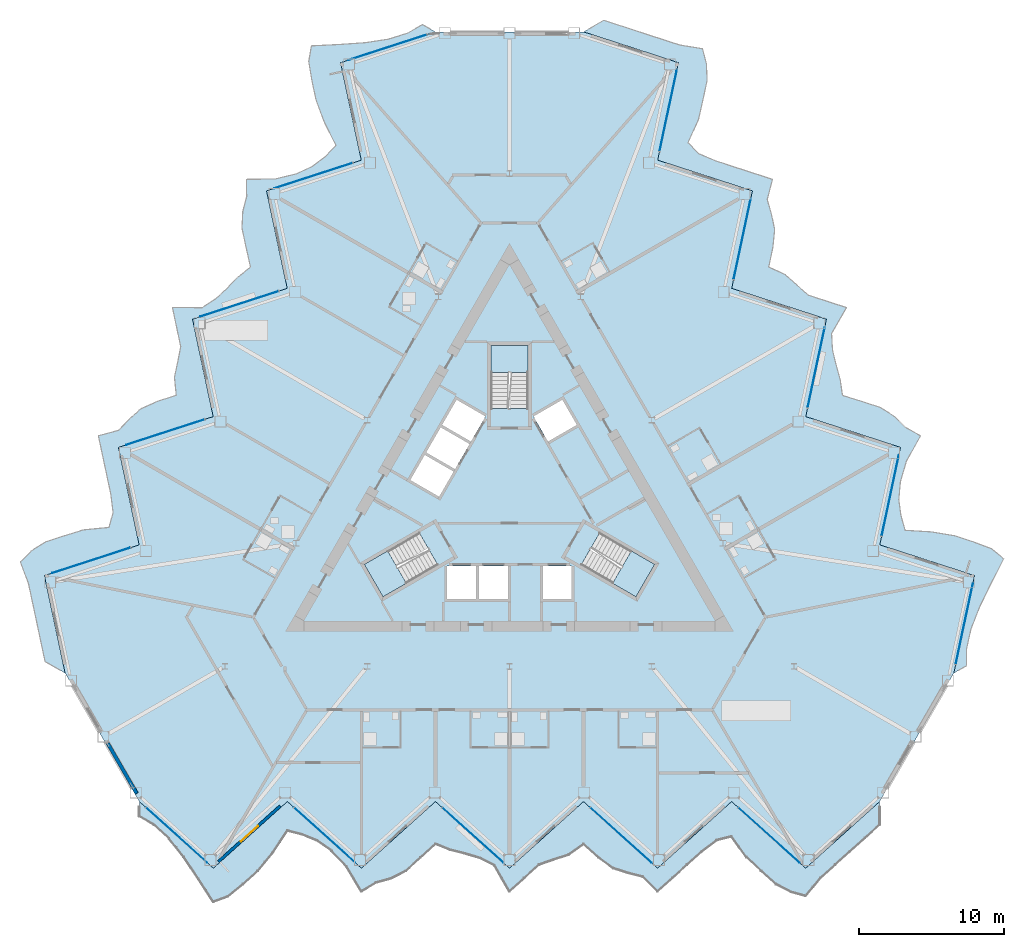
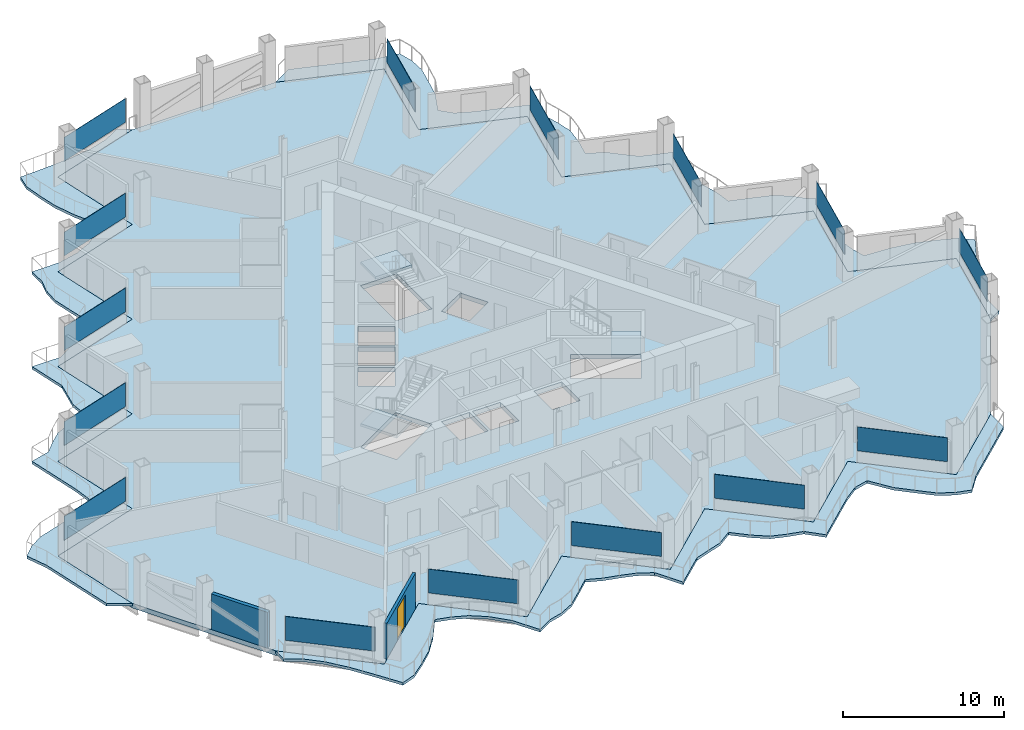
# One storey, part 9 of 23: 15 plates, 7 slabs, 2 walls, 1 door, 1 opening, 18 elements without a shape of their own.
"""IFC4 building model written with IfcOpenShell, lengths in metres."""

import ifcopenshell
import ifcopenshell.guid

model = None  # the IFC model being written
_history = None  # IfcOwnerHistory: only IFC2X3 demands one
_inside = {}  # id of a spatial element -> (the spatial element, [elements in it])
_under = {}  # id of a project, library or spatial element -> (it, [spatial elements below it])
_declared = {}  # id of a project -> (the project, [libraries it declares])
_typed = {}  # id of a type object -> (the type object, [elements of that type])
_made_of = {}  # id of a material, layer set ... -> (it, [elements and type objects made of it])


def new_model(schema):
    """Start an empty IFC model of exactly this schema.

    Asked for "IFC4X3", IfcOpenShell would pick the latest addendum, in which some entities
    have other attributes; the version numbers below select the first issue.
    IFC2X3 requires an IfcOwnerHistory on every rooted entity: one is made here for all.
    """
    global model, _history
    if schema == "IFC4X3":
        model = ifcopenshell.file(schema_version=(4, 3, 0, 0))
    else:
        model = ifcopenshell.file(schema=schema)
    _inside.clear()
    _under.clear()
    _declared.clear()
    _typed.clear()
    _made_of.clear()
    _history = None
    if model.schema == "IFC2X3":
        org = make("IfcOrganization", Name="unknown")
        user = make(
            "IfcPersonAndOrganization",
            ThePerson=make("IfcPerson", FamilyName="unknown"),
            TheOrganization=org,
        )
        app = make(
            "IfcApplication",
            ApplicationDeveloper=org,
            Version="unknown",
            ApplicationFullName="unknown",
            ApplicationIdentifier="unknown",
        )
        _history = make(
            "IfcOwnerHistory",
            OwningUser=user,
            OwningApplication=app,
            ChangeAction="ADDED",
            CreationDate=0,
        )
    return model


def make(cls, **values):
    """One entity of the class cls with the attributes given. An attribute that is None is left unset."""
    return model.create_entity(
        cls, **{name: value for name, value in values.items() if value is not None}
    )


def rooted(cls, **values):
    """An entity with a GlobalId (a new one), such as an element, a storey or a relation."""
    return make(cls, GlobalId=ifcopenshell.guid.new(), OwnerHistory=_history, **values)


def si_unit(unit_type, name, prefix=None):
    """IfcSIUnit, for example si_unit("LENGTHUNIT", "METRE", prefix="MILLI")."""
    return make("IfcSIUnit", UnitType=unit_type, Prefix=prefix, Name=name)


def assignment(units):
    """IfcUnitAssignment: the units of a project."""
    return None if units is None else make("IfcUnitAssignment", Units=units)


def point(xyz):
    """IfcCartesianPoint."""
    return None if xyz is None else make("IfcCartesianPoint", Coordinates=xyz)


def direction(xyz):
    """IfcDirection."""
    return None if xyz is None else make("IfcDirection", DirectionRatios=xyz)


def frame(location, z_axis=None, x_axis=None):
    """IfcAxis2Placement3D, a coordinate frame: its origin and axes. An axis left out is left unset."""
    return make(
        "IfcAxis2Placement3D",
        Location=point(location),
        Axis=direction(z_axis),
        RefDirection=direction(x_axis),
    )


def frame_2d(location, x_axis=None):
    """IfcAxis2Placement2D, a coordinate frame in the plane: its origin and x axis."""
    return make(
        "IfcAxis2Placement2D", Location=point(location), RefDirection=direction(x_axis)
    )


def origin():
    """The frame at (0, 0, 0) with its axes left unset."""
    return frame((0.0, 0.0, 0.0))


def origin_2d():
    """The frame at (0, 0) in the plane with its x axis left unset."""
    return frame_2d((0.0, 0.0))


def place(relative_to, where):
    """IfcLocalPlacement: puts the frame where relative to a parent placement (None: the world)."""
    return make(
        "IfcLocalPlacement", PlacementRelTo=relative_to, RelativePlacement=where
    )


def context(
    kind, dimensions, precision=None, world=None, true_north=None, identifier=None
):
    """IfcGeometricRepresentationContext, for example the 3D "Model" context."""
    return make(
        "IfcGeometricRepresentationContext",
        ContextIdentifier=identifier,
        ContextType=kind,
        CoordinateSpaceDimension=dimensions,
        Precision=precision,
        WorldCoordinateSystem=world,
        TrueNorth=true_north,
    )


def subcontext(parent, identifier, kind, view, scale=None):
    """IfcGeometricRepresentationSubContext, for example "Body" below "Model"."""
    return make(
        "IfcGeometricRepresentationSubContext",
        ContextIdentifier=identifier,
        ContextType=kind,
        ParentContext=parent,
        TargetScale=scale,
        TargetView=view,
    )


def project(units=None, contexts=None):
    """IfcProject with its units and contexts."""
    return rooted(
        "IfcProject",
        Name="project",
        RepresentationContexts=contexts,
        UnitsInContext=assignment(units),
    )


def spatial(cls, under=None, at=None, **own):
    """A site, building, storey or space (cls), placed at a placement, below another one or the project."""
    s = rooted(cls, ObjectPlacement=at, **own)
    if under is not None:
        _under.setdefault(under.id(), (under, []))[1].append(s)
    return s


def polyline(points):
    """IfcPolyline through the points."""
    return make("IfcPolyline", Points=[point(p) for p in points])


def profile(cls, at=None, kind="AREA", **sizes):
    """A parametric profile (cls). Its sizes go by their IFC names, for example OverallWidth=200.0."""
    return make(cls, ProfileType=kind, Position=at, **sizes)


def rectangle(**sizes):
    """IfcRectangleProfileDef."""
    return profile("IfcRectangleProfileDef", **sizes)


def outline(outer, holes=None, kind="AREA"):
    """IfcArbitraryClosedProfileDef: a profile drawn as a closed curve; with holes, ...WithVoids."""
    if holes is None:
        return make("IfcArbitraryClosedProfileDef", ProfileType=kind, OuterCurve=outer)
    return make(
        "IfcArbitraryProfileDefWithVoids",
        ProfileType=kind,
        OuterCurve=outer,
        InnerCurves=holes,
    )


def extrude(swept, where, along, depth):
    """IfcExtrudedAreaSolid: the profile swept, set in the frame where, extruded along a direction by depth."""
    return make(
        "IfcExtrudedAreaSolid",
        SweptArea=swept,
        Position=where,
        ExtrudedDirection=direction(along),
        Depth=depth,
    )


def shape(context_of_items, identifier, shape_type, items):
    """IfcShapeRepresentation: the items that make up one representation, for example the "Body"."""
    return make(
        "IfcShapeRepresentation",
        ContextOfItems=context_of_items,
        RepresentationIdentifier=identifier,
        RepresentationType=shape_type,
        Items=items,
    )


def material(Name=None, Category=None):
    """IfcMaterial."""
    return make("IfcMaterial", Name=Name, Category=Category)


def layer(
    of_material, thickness, ventilated=None, Name=None, Category=None, Priority=None
):
    """IfcMaterialLayer: one layer of a wall or slab, of a material (None: an air gap)."""
    return make(
        "IfcMaterialLayer",
        Material=of_material,
        LayerThickness=thickness,
        IsVentilated=ventilated,
        Name=Name,
        Category=Category,
        Priority=Priority,
    )


def layer_set(layers, Name=None):
    """IfcMaterialLayerSet."""
    return make("IfcMaterialLayerSet", MaterialLayers=layers, LayerSetName=Name)


def made_of(thing, what):
    """Note that an element or type object is made of a material, layer set ...; save() writes the relation."""
    if what is not None:
        _made_of.setdefault(what.id(), (what, []))[1].append(thing)
    return thing


def type_object(cls, material=None, **own):
    """A type object (cls), such as IfcWallType, which elements share."""
    return made_of(rooted(cls, **own), material)


def element(
    cls,
    number,
    at=None,
    inside=None,
    cuts=None,
    type_object=None,
    material=None,
    context=None,
    identifier="Body",
    shape_type=None,
    held_by="IfcProductDefinitionShape",
    body=None,
    shapes=None,
    **own,
):
    """One element of the class cls, such as IfcWall. Its Tag is "e" and its number.

    at: its placement. inside: the storey or other place that contains it. cuts: it is an
    opening in that element (IfcRelVoidsElement). A single representation is given by context,
    identifier, shape_type and body (its items); several are given by shapes. held_by: the class
    of the entity that holds the representations. save() writes the other relations.
    """
    e = rooted(cls, Tag="e%d" % number, ObjectPlacement=at, **own)
    if body is not None:
        shapes = [shape(context, identifier, shape_type, body)]
    if shapes is not None:
        e.Representation = make(held_by, Representations=shapes)
    if inside is not None:
        _inside.setdefault(inside.id(), (inside, []))[1].append(e)
    if cuts is not None:
        rooted(
            "IfcRelVoidsElement", RelatingBuildingElement=cuts, RelatedOpeningElement=e
        )
    if type_object is not None:
        _typed.setdefault(type_object.id(), (type_object, []))[1].append(e)
    return made_of(e, material)


def fill(opening, filler):
    """IfcRelFillsElement: the door or window that sits in an opening."""
    return rooted(
        "IfcRelFillsElement",
        RelatingOpeningElement=opening,
        RelatedBuildingElement=filler,
    )


def aggregate(whole, parts):
    """IfcRelAggregates: a whole, such as a stair, and the parts it consists of."""
    return rooted("IfcRelAggregates", RelatingObject=whole, RelatedObjects=parts)


def save(model, path):
    """Write the relations noted so far, then the file.

    IfcRelAggregates (storeys below a building ...), IfcRelContainedInSpatialStructure (elements
    in a storey), IfcRelDefinesByType, IfcRelAssociatesMaterial and IfcRelDeclares: one each for
    every whole, place, type object, material and project.
    """
    for whole, parts in _under.values():
        aggregate(whole, parts)
    for where, things in _inside.values():
        rooted(
            "IfcRelContainedInSpatialStructure",
            RelatedElements=things,
            RelatingStructure=where,
        )
    for kind, things in _typed.values():
        rooted("IfcRelDefinesByType", RelatedObjects=things, RelatingType=kind)
    for what, things in _made_of.values():
        rooted("IfcRelAssociatesMaterial", RelatedObjects=things, RelatingMaterial=what)
    for by, libraries in _declared.values():
        rooted("IfcRelDeclares", RelatingContext=by, RelatedDefinitions=libraries)
    model.write(path)


model = new_model("IFC4")

# Units and contexts
model_context = context("Model", 3, precision=1e-05, world=origin(), true_north=direction((0.0, 1.0)))
body_context = subcontext(model_context, "Body", "Model", "MODEL_VIEW")
ifc_project = project(units=[si_unit("LENGTHUNIT", "METRE"), si_unit("AREAUNIT", "SQUARE_METRE"), si_unit("VOLUMEUNIT", "CUBIC_METRE"), si_unit("PLANEANGLEUNIT", "RADIAN"), si_unit("MASSUNIT", "GRAM", prefix="KILO")], contexts=[model_context])

# Site, building, storey
site_placement = place(None, origin())
site = spatial("IfcSite", under=ifc_project, at=site_placement, CompositionType="ELEMENT")
building_placement = place(site_placement, origin())
building = spatial("IfcBuilding", under=site, at=building_placement, Name="Cormorant Prow Tower", CompositionType="ELEMENT")
storey_placement = place(building_placement, frame((0.0, 0.0, 176.39990234375)))
storey = spatial("IfcBuildingStorey", under=building, at=storey_placement, Name="L37", CompositionType="ELEMENT", Elevation=176.39990234375)

# Slabs
ifc_material_1 = material(Name="Concrete C40/50", Category="concrete")
ifc_layer_1 = layer(ifc_material_1, 0.199951171875)
ifc_layer_set_1 = layer_set([ifc_layer_1], Name="Concrete C40/50")
slab_type_1 = type_object("IfcSlabType", Name="Balcony slab 200", PredefinedType="FLOOR", material=ifc_layer_set_1)
slab_1_placement = place(storey_placement, frame((0.0, 0.0, -0.199951171875)))
element("IfcSlab", 1, at=slab_1_placement, inside=storey, type_object=slab_type_1, Name="Balcony slab S L37", PredefinedType="FLOOR", context=body_context, shape_type="SweptSolid", body=[
    extrude(outline(polyline([(-25.57861328125, -20.684326171875), (-25.57861328125, -21.700439453125), (-24.555419921875, -22.29296875), (-23.5322265625, -23.231201171875), (-22.509033203125, -24.510498046875), (-21.48583984375, -26.02880859375), (-20.462890625, -27.61572265625), (-19.439697265625, -27.239013671875), (-18.41650390625, -26.398193359375), (-17.393310546875, -25.476806640625), (-16.370361328125, -24.243896484375), (-15.34716796875, -22.6982421875), (-14.323974609375, -22.962646484375), (-13.30078125, -23.3818359375), (-12.277587890625, -24.09912109375), (-11.254638671875, -25.1728515625), (-10.2314453125, -26.890625), (-9.208251953125, -26.283203125), (-8.18505859375, -26.00341796875), (-7.161865234375, -25.476806640625), (-6.138916015625, -24.5556640625), (-5.11572265625, -23.614013671875), (-4.092529296875, -24.0234375), (-3.0693359375, -24.285400390625), (-2.04638671875, -24.58740234375), (-1.023193359375, -25.106689453125), (0.0, -26.890625), (1.023193359375, -25.96923828125), (2.04638671875, -25.048095703125), (3.0693359375, -24.694580078125), (4.092529296875, -24.363525390625), (5.11572265625, -23.63427734375), (6.138916015625, -24.5556640625), (7.161865234375, -25.290771484375), (8.18505859375, -25.6240234375), (9.208251953125, -25.87841796875), (10.2314453125, -26.890625), (11.254638671875, -25.96923828125), (12.277587890625, -25.048095703125), (13.30078125, -24.126953125), (14.323974609375, -23.355712890625), (15.34716796875, -23.0947265625), (16.370361328125, -24.530517578125), (17.393310546875, -25.476806640625), (18.41650390625, -26.398193359375), (19.439697265625, -26.931640625), (20.462890625, -27.212890625), (21.48583984375, -25.96923828125), (22.509033203125, -25.048095703125), (23.5322265625, -24.126953125), (24.555419921875, -23.20556640625), (25.57861328125, -22.284423828125), (25.57861328125, -20.684326171875), (24.555419921875, -21.605712890625), (23.5322265625, -22.52685546875), (22.509033203125, -23.447998046875), (21.48583984375, -24.369384765625), (20.462890625, -25.29052734375), (19.439697265625, -24.369384765625), (18.41650390625, -23.447998046875), (17.393310546875, -22.52685546875), (16.370361328125, -21.605712890625), (15.34716796875, -20.684326171875), (14.323974609375, -21.605712890625), (13.30078125, -22.52685546875), (12.277587890625, -23.447998046875), (11.254638671875, -24.369384765625), (10.2314453125, -25.29052734375), (9.208251953125, -24.369384765625), (8.18505859375, -23.447998046875), (7.161865234375, -22.52685546875), (6.138916015625, -21.605712890625), (5.11572265625, -20.684326171875), (4.092529296875, -21.605712890625), (3.0693359375, -22.52685546875), (2.04638671875, -23.447998046875), (1.023193359375, -24.369384765625), (0.0, -25.29052734375), (-1.023193359375, -24.369384765625), (-2.04638671875, -23.447998046875), (-3.0693359375, -22.52685546875), (-4.092529296875, -21.605712890625), (-5.11572265625, -20.684326171875), (-6.138916015625, -21.605712890625), (-7.161865234375, -22.52685546875), (-8.18505859375, -23.447998046875), (-9.208251953125, -24.369384765625), (-10.2314453125, -25.29052734375), (-11.254638671875, -24.369384765625), (-12.277587890625, -23.447998046875), (-13.30078125, -22.52685546875), (-14.323974609375, -21.605712890625), (-15.34716796875, -20.684326171875), (-16.370361328125, -21.605712890625), (-17.393310546875, -22.52685546875), (-18.41650390625, -23.447998046875), (-19.439697265625, -24.369384765625), (-20.462890625, -25.29052734375), (-21.48583984375, -24.369384765625), (-22.509033203125, -23.447998046875), (-23.5322265625, -22.52685546875), (-24.555419921875, -21.605712890625), (-25.57861328125, -20.684326171875)])), origin(), (0.0, 0.0, 1.0), 0.199951171875),
])
slab_2_placement = place(storey_placement, frame((0.0, 0.0, -0.199951171875)))
element("IfcSlab", 2, at=slab_2_placement, inside=storey, type_object=slab_type_1, Name="Balcony slab ENE L37", PredefinedType="FLOOR", context=body_context, shape_type="SweptSolid", body=[
    extrude(outline(polyline([(30.702392578125, -11.8095703125), (31.58251953125, -11.301513671875), (31.583984375, -10.119140625), (31.885009765625, -8.763916015625), (32.4814453125, -7.238037109375), (33.28466796875, -5.593017578125), (34.1474609375, -3.913330078125), (33.309326171875, -3.2158203125), (32.069580078125, -2.750244140625), (30.76025390625, -2.32470703125), (29.180908203125, -2.05517578125), (27.330810546875, -1.94189453125), (27.048095703125, -0.923583984375), (26.899658203125, 0.172119140625), (27.00927734375, 1.416748046875), (27.427490234375, 2.839599609375), (28.403564453125, 4.584716796875), (27.3662109375, 5.1669921875), (26.612060546875, 5.9130859375), (25.64453125, 6.535888671875), (24.335205078125, 6.96142578125), (23.008056640625, 7.376708984375), (22.851318359375, 8.467529296875), (22.56640625, 9.484375), (22.316650390625, 10.521728515625), (22.254638671875, 11.667236328125), (23.287841796875, 13.4453125), (21.978515625, 13.870849609375), (20.669189453125, 14.296142578125), (19.851318359375, 15.00537109375), (19.05322265625, 15.72607421875), (17.91015625, 16.24755859375), (18.1962890625, 17.59423828125), (18.321533203125, 18.847900390625), (18.098388671875, 19.900390625), (17.80712890625, 20.913818359375), (18.172119140625, 22.305908203125), (16.86279296875, 22.7314453125), (15.553466796875, 23.15673828125), (14.244140625, 23.582275390625), (13.064697265625, 24.082763671875), (12.3271484375, 24.83837890625), (13.058837890625, 26.4423828125), (13.366943359375, 27.801513671875), (13.653076171875, 29.148193359375), (13.603759765625, 30.301025390625), (13.335693359375, 31.32763671875), (11.7470703125, 31.592041015625), (10.437744140625, 32.017578125), (9.12841796875, 32.44287109375), (7.819091796875, 32.868408203125), (6.509521484375, 33.2939453125), (5.1240234375, 32.493896484375), (6.433349609375, 32.068359375), (7.74267578125, 31.64306640625), (9.052001953125, 31.217529296875), (10.361572265625, 30.7919921875), (11.6708984375, 30.36669921875), (11.384521484375, 29.02001953125), (11.098388671875, 27.67333984375), (10.812255859375, 26.32666015625), (10.52587890625, 24.97998046875), (10.23974609375, 23.63330078125), (11.549072265625, 23.207763671875), (12.8583984375, 22.7822265625), (14.167724609375, 22.35693359375), (15.477294921875, 21.931396484375), (16.78662109375, 21.505859375), (16.500244140625, 20.1591796875), (16.214111328125, 18.8125), (15.927734375, 17.4658203125), (15.6416015625, 16.119140625), (15.35546875, 14.7724609375), (16.664794921875, 14.34716796875), (17.97412109375, 13.921630859375), (19.283447265625, 13.49609375), (20.593017578125, 13.07080078125), (21.90234375, 12.645263671875), (21.615966796875, 11.298583984375), (21.329833984375, 9.951904296875), (21.04345703125, 8.605224609375), (20.75732421875, 7.258544921875), (20.470947265625, 5.911865234375), (21.780517578125, 5.486328125), (23.08984375, 5.06103515625), (24.399169921875, 4.635498046875), (25.70849609375, 4.2099609375), (27.01806640625, 3.78466796875), (26.731689453125, 2.43798828125), (26.445556640625, 1.09130859375), (26.1591796875, -0.25537109375), (25.873046875, -1.60205078125), (25.586669921875, -2.94873046875), (26.896240234375, -3.374267578125), (28.20556640625, -3.7998046875), (29.514892578125, -4.22509765625), (30.82421875, -4.650634765625), (32.1337890625, -5.075927734375), (31.847412109375, -6.422607421875), (31.561279296875, -7.769287109375), (31.27490234375, -9.115966796875), (30.98876953125, -10.462890625), (30.702392578125, -11.8095703125)])), origin(), (0.0, 0.0, 1.0), 0.199951171875),
])
slab_3_placement = place(storey_placement, frame((0.0, 0.0, -0.199951171875)))
element("IfcSlab", 3, at=slab_3_placement, inside=storey, type_object=slab_type_1, Name="Balcony slab WNW L37", PredefinedType="FLOOR", context=body_context, shape_type="SweptSolid", body=[
    extrude(outline(polyline([(-5.1240234375, 32.493896484375), (-6.00390625, 33.001953125), (-7.028564453125, 32.412109375), (-8.352783203125, 31.9951171875), (-9.97216796875, 31.748779296875), (-11.798828125, 31.621826171875), (-13.6845703125, 31.529296875), (-13.869873046875, 30.45458984375), (-13.653076171875, 29.148193359375), (-13.366943359375, 27.801513671875), (-12.810791015625, 26.299072265625), (-11.983642578125, 24.64013671875), (-12.72412109375, 23.88623046875), (-13.598876953125, 23.209716796875), (-14.731689453125, 22.682373046875), (-16.1728515625, 22.3330078125), (-18.172119140625, 22.305908203125), (-18.157958984375, 21.1162109375), (-18.427001953125, 20.09033203125), (-18.482666015625, 18.94091796875), (-18.1962890625, 17.59423828125), (-17.892333984375, 16.2373046875), (-18.7587890625, 15.555908203125), (-19.4970703125, 14.80078125), (-20.270263671875, 14.06591796875), (-21.2314453125, 13.439453125), (-23.287841796875, 13.4453125), (-23.001708984375, 12.0986328125), (-22.71533203125, 10.751953125), (-22.9208984375, 9.68896484375), (-23.145751953125, 8.637451171875), (-23.02587890625, 7.386962890625), (-24.335205078125, 6.96142578125), (-25.4833984375, 6.44287109375), (-26.283447265625, 5.723388671875), (-27.015380859375, 4.964599609375), (-28.403564453125, 4.584716796875), (-28.117431640625, 3.238037109375), (-27.8310546875, 1.891357421875), (-27.544921875, 0.544677734375), (-27.388671875, -0.72705078125), (-27.674072265625, -1.74365234375), (-29.42919921875, -1.911865234375), (-30.76025390625, -2.32470703125), (-32.069580078125, -2.750244140625), (-33.04345703125, -3.369384765625), (-33.79833984375, -4.114990234375), (-33.233154296875, -5.622802734375), (-32.94677734375, -6.969482421875), (-32.66064453125, -8.316162109375), (-32.374267578125, -9.662841796875), (-32.088134765625, -11.009521484375), (-30.702392578125, -11.8095703125), (-30.98876953125, -10.462890625), (-31.27490234375, -9.115966796875), (-31.561279296875, -7.769287109375), (-31.847412109375, -6.422607421875), (-32.1337890625, -5.075927734375), (-30.82421875, -4.650634765625), (-29.514892578125, -4.22509765625), (-28.20556640625, -3.7998046875), (-26.896240234375, -3.374267578125), (-25.586669921875, -2.94873046875), (-25.873046875, -1.60205078125), (-26.1591796875, -0.25537109375), (-26.445556640625, 1.09130859375), (-26.731689453125, 2.43798828125), (-27.01806640625, 3.78466796875), (-25.70849609375, 4.2099609375), (-24.399169921875, 4.635498046875), (-23.08984375, 5.06103515625), (-21.780517578125, 5.486328125), (-20.470947265625, 5.911865234375), (-20.75732421875, 7.258544921875), (-21.04345703125, 8.605224609375), (-21.329833984375, 9.951904296875), (-21.615966796875, 11.298583984375), (-21.90234375, 12.645263671875), (-20.593017578125, 13.07080078125), (-19.283447265625, 13.49609375), (-17.97412109375, 13.921630859375), (-16.664794921875, 14.34716796875), (-15.35546875, 14.7724609375), (-15.6416015625, 16.119140625), (-15.927734375, 17.4658203125), (-16.214111328125, 18.8125), (-16.500244140625, 20.1591796875), (-16.78662109375, 21.505859375), (-15.477294921875, 21.931396484375), (-14.167724609375, 22.35693359375), (-12.8583984375, 22.7822265625), (-11.549072265625, 23.207763671875), (-10.23974609375, 23.63330078125), (-10.52587890625, 24.97998046875), (-10.812255859375, 26.32666015625), (-11.098388671875, 27.67333984375), (-11.384521484375, 29.02001953125), (-11.6708984375, 30.36669921875), (-10.361572265625, 30.7919921875), (-9.052001953125, 31.217529296875), (-7.74267578125, 31.64306640625), (-6.433349609375, 32.068359375), (-5.1240234375, 32.493896484375)])), origin(), (0.0, 0.0, 1.0), 0.199951171875),
])

# Curtain wall, plate
ifc_material_2 = material(Name="Aluminium 6063-T6", Category="aluminium")
ifc_layer_2 = layer(ifc_material_2, 0.179931640625)
ifc_layer_set_2 = layer_set([ifc_layer_2], Name="Aluminium 6063-T6")
curtain_wall_type = type_object("IfcCurtainWallType", Name="Hotel unitised curtain wall 180", PredefinedType="NOTDEFINED", material=ifc_layer_set_2)
curtain_wall_1_placement = place(storey_placement, origin())
curtain_wall_1 = element("IfcCurtainWall", 4, at=curtain_wall_1_placement, inside=storey, type_object=curtain_wall_type, Name="Hotel curtain wall S00", PredefinedType="NOTDEFINED")
ifc_material_3 = material(Name="Clear glass", Category="glass")
ifc_layer_3 = layer(ifc_material_3, 0.028076171875)
ifc_layer_set_3 = layer_set([ifc_layer_3], Name="Clear glass")
plate_type = type_object("IfcPlateType", Name="Hotel glass panel 28", PredefinedType="CURTAIN_PANEL", material=ifc_layer_set_3)
plate_1_placement = place(storey_placement, frame((-22.998291015625, -23.007568359375, 0.900146484375), z_axis=(0.0, 0.0, 1.0), x_axis=(0.743144931764, -0.669130488316, 0.0)))
plate_1 = element("IfcPlate", 5, at=plate_1_placement, type_object=plate_type, Name="Hotel glass panel S00", PredefinedType="CURTAIN_PANEL", context=body_context, shape_type="SweptSolid", body=[
    extrude(rectangle(XDim=5.687744140625, YDim=0.028076171875, at=origin_2d()), origin(), (0.0, 0.0, 1.0), 1.80078125),
])
aggregate(curtain_wall_1, [plate_1])

curtain_wall_2_placement = place(storey_placement, origin())
curtain_wall_2 = element("IfcCurtainWall", 6, at=curtain_wall_2_placement, inside=storey, type_object=curtain_wall_type, Name="Hotel curtain wall S02", PredefinedType="NOTDEFINED")
plate_2_placement = place(storey_placement, frame((-12.766845703125, -23.007568359375, 0.900146484375), z_axis=(0.0, 0.0, 1.0), x_axis=(0.743144866726, -0.669130560548, 0.0)))
plate_2 = element("IfcPlate", 7, at=plate_2_placement, type_object=plate_type, Name="Hotel glass panel S02", PredefinedType="CURTAIN_PANEL", context=body_context, shape_type="SweptSolid", body=[
    extrude(rectangle(XDim=5.687744140625, YDim=0.028076171875, at=origin_2d()), origin(), (0.0, 0.0, 1.0), 1.80078125),
])
aggregate(curtain_wall_2, [plate_2])

curtain_wall_3_placement = place(storey_placement, origin())
curtain_wall_3 = element("IfcCurtainWall", 8, at=curtain_wall_3_placement, inside=storey, type_object=curtain_wall_type, Name="Hotel curtain wall S04", PredefinedType="NOTDEFINED")
plate_3_placement = place(storey_placement, frame((-2.53564453125, -23.007568359375, 0.900146484375), z_axis=(0.0, 0.0, 1.0), x_axis=(0.743144866726, -0.669130560548, 0.0)))
plate_3 = element("IfcPlate", 9, at=plate_3_placement, type_object=plate_type, Name="Hotel glass panel S04", PredefinedType="CURTAIN_PANEL", context=body_context, shape_type="SweptSolid", body=[
    extrude(rectangle(XDim=5.687744140625, YDim=0.028076171875, at=origin_2d()), origin(), (0.0, 0.0, 1.0), 1.80078125),
])
aggregate(curtain_wall_3, [plate_3])

curtain_wall_4_placement = place(storey_placement, origin())
curtain_wall_4 = element("IfcCurtainWall", 10, at=curtain_wall_4_placement, inside=storey, type_object=curtain_wall_type, Name="Hotel curtain wall S06", PredefinedType="NOTDEFINED")
plate_4_placement = place(storey_placement, frame((7.69580078125, -23.007568359375, 0.900146484375), z_axis=(0.0, 0.0, 1.0), x_axis=(0.743144931764, -0.669130488316, 0.0)))
plate_4 = element("IfcPlate", 11, at=plate_4_placement, type_object=plate_type, Name="Hotel glass panel S06", PredefinedType="CURTAIN_PANEL", context=body_context, shape_type="SweptSolid", body=[
    extrude(rectangle(XDim=5.687744140625, YDim=0.028076171875, at=origin_2d()), origin(), (0.0, 0.0, 1.0), 1.80078125),
])
aggregate(curtain_wall_4, [plate_4])

curtain_wall_5_placement = place(storey_placement, origin())
curtain_wall_5 = element("IfcCurtainWall", 12, at=curtain_wall_5_placement, inside=storey, type_object=curtain_wall_type, Name="Hotel curtain wall S08", PredefinedType="NOTDEFINED")
plate_5_placement = place(storey_placement, frame((17.92724609375, -23.007568359375, 0.900146484375), z_axis=(0.0, 0.0, 1.0), x_axis=(0.743144866726, -0.669130560548, 0.0)))
plate_5 = element("IfcPlate", 13, at=plate_5_placement, type_object=plate_type, Name="Hotel glass panel S08", PredefinedType="CURTAIN_PANEL", context=body_context, shape_type="SweptSolid", body=[
    extrude(rectangle(XDim=5.687744140625, YDim=0.028076171875, at=origin_2d()), origin(), (0.0, 0.0, 1.0), 1.80078125),
])
aggregate(curtain_wall_5, [plate_5])

curtain_wall_6_placement = place(storey_placement, origin())
curtain_wall_6 = element("IfcCurtainWall", 14, at=curtain_wall_6_placement, inside=storey, type_object=curtain_wall_type, Name="Hotel curtain wall ENE00", PredefinedType="NOTDEFINED")
plate_6_placement = place(storey_placement, frame((31.42431640625, -8.413330078125, 0.900146484375), z_axis=(0.0, 0.0, 1.0), x_axis=(0.207911728478, 0.978147592729, 0.0)))
plate_6 = element("IfcPlate", 15, at=plate_6_placement, type_object=plate_type, Name="Hotel glass panel ENE00", PredefinedType="CURTAIN_PANEL", context=body_context, shape_type="SweptSolid", body=[
    extrude(rectangle(XDim=5.687744140625, YDim=0.028076171875, at=origin_2d()), origin(), (0.0, 0.0, 1.0), 1.80078125),
])
aggregate(curtain_wall_6, [plate_6])

curtain_wall_7_placement = place(storey_placement, origin())
curtain_wall_7 = element("IfcCurtainWall", 16, at=curtain_wall_7_placement, inside=storey, type_object=curtain_wall_type, Name="Hotel curtain wall ENE02", PredefinedType="NOTDEFINED")
plate_7_placement = place(storey_placement, frame((26.30859375, 0.447265625, 0.900146484375), z_axis=(0.0, 0.0, 1.0), x_axis=(0.207911589496, 0.97814762227, 0.0)))
plate_7 = element("IfcPlate", 17, at=plate_7_placement, type_object=plate_type, Name="Hotel glass panel ENE02", PredefinedType="CURTAIN_PANEL", context=body_context, shape_type="SweptSolid", body=[
    extrude(rectangle(XDim=5.687744140625, YDim=0.028076171875, at=origin_2d()), origin(), (0.0, 0.0, 1.0), 1.80078125),
])
aggregate(curtain_wall_7, [plate_7])

curtain_wall_8_placement = place(storey_placement, origin())
curtain_wall_8 = element("IfcCurtainWall", 18, at=curtain_wall_8_placement, inside=storey, type_object=curtain_wall_type, Name="Hotel curtain wall ENE04", PredefinedType="NOTDEFINED")
plate_8_placement = place(storey_placement, frame((21.19287109375, 9.307861328125, 0.900146484375), z_axis=(0.0, 0.0, 1.0), x_axis=(0.207911698927, 0.97814759901, 0.0)))
plate_8 = element("IfcPlate", 19, at=plate_8_placement, type_object=plate_type, Name="Hotel glass panel ENE04", PredefinedType="CURTAIN_PANEL", context=body_context, shape_type="SweptSolid", body=[
    extrude(rectangle(XDim=5.687744140625, YDim=0.028076171875, at=origin_2d()), origin(), (0.0, 0.0, 1.0), 1.80078125),
])
aggregate(curtain_wall_8, [plate_8])

curtain_wall_9_placement = place(storey_placement, origin())
curtain_wall_9 = element("IfcCurtainWall", 20, at=curtain_wall_9_placement, inside=storey, type_object=curtain_wall_type, Name="Hotel curtain wall ENE06", PredefinedType="NOTDEFINED")
plate_9_placement = place(storey_placement, frame((16.0771484375, 18.168701171875, 0.900146484375), z_axis=(0.0, 0.0, 1.0), x_axis=(0.207911728478, 0.978147592729, 0.0)))
plate_9 = element("IfcPlate", 21, at=plate_9_placement, type_object=plate_type, Name="Hotel glass panel ENE06", PredefinedType="CURTAIN_PANEL", context=body_context, shape_type="SweptSolid", body=[
    extrude(rectangle(XDim=5.687744140625, YDim=0.028076171875, at=origin_2d()), origin(), (0.0, 0.0, 1.0), 1.80078125),
])
aggregate(curtain_wall_9, [plate_9])

curtain_wall_10_placement = place(storey_placement, origin())
curtain_wall_10 = element("IfcCurtainWall", 22, at=curtain_wall_10_placement, inside=storey, type_object=curtain_wall_type, Name="Hotel curtain wall ENE08", PredefinedType="NOTDEFINED")
plate_10_placement = place(storey_placement, frame((10.96142578125, 27.029296875, 0.900146484375), z_axis=(0.0, 0.0, 1.0), x_axis=(0.207911728478, 0.978147592729, 0.0)))
plate_10 = element("IfcPlate", 23, at=plate_10_placement, type_object=plate_type, Name="Hotel glass panel ENE08", PredefinedType="CURTAIN_PANEL", context=body_context, shape_type="SweptSolid", body=[
    extrude(rectangle(XDim=5.687744140625, YDim=0.028076171875, at=origin_2d()), origin(), (0.0, 0.0, 1.0), 1.80078125),
])
aggregate(curtain_wall_10, [plate_10])

curtain_wall_11_placement = place(storey_placement, origin())
curtain_wall_11 = element("IfcCurtainWall", 24, at=curtain_wall_11_placement, inside=storey, type_object=curtain_wall_type, Name="Hotel curtain wall WNW00", PredefinedType="NOTDEFINED")
plate_11_placement = place(storey_placement, frame((-8.426025390625, 31.4208984375, 0.900146484375), z_axis=(0.0, 0.0, 1.0), x_axis=(-0.951056492009, -0.309017069121, 0.0)))
plate_11 = element("IfcPlate", 25, at=plate_11_placement, type_object=plate_type, Name="Hotel glass panel WNW00", PredefinedType="CURTAIN_PANEL", context=body_context, shape_type="SweptSolid", body=[
    extrude(rectangle(XDim=5.687744140625, YDim=0.028076171875, at=origin_2d()), origin(), (0.0, 0.0, 1.0), 1.80078125),
])
aggregate(curtain_wall_11, [plate_11])

curtain_wall_12_placement = place(storey_placement, origin())
curtain_wall_12 = element("IfcCurtainWall", 26, at=curtain_wall_12_placement, inside=storey, type_object=curtain_wall_type, Name="Hotel curtain wall WNW02", PredefinedType="NOTDEFINED")
plate_12_placement = place(storey_placement, frame((-13.541748046875, 22.560302734375, 0.900146484375), z_axis=(0.0, 0.0, 1.0), x_axis=(-0.951056492009, -0.309017069121, 0.0)))
plate_12 = element("IfcPlate", 27, at=plate_12_placement, type_object=plate_type, Name="Hotel glass panel WNW02", PredefinedType="CURTAIN_PANEL", context=body_context, shape_type="SweptSolid", body=[
    extrude(rectangle(XDim=5.687744140625, YDim=0.028076171875, at=origin_2d()), origin(), (0.0, 0.0, 1.0), 1.80078125),
])
aggregate(curtain_wall_12, [plate_12])

curtain_wall_13_placement = place(storey_placement, origin())
curtain_wall_13 = element("IfcCurtainWall", 28, at=curtain_wall_13_placement, inside=storey, type_object=curtain_wall_type, Name="Hotel curtain wall WNW04", PredefinedType="NOTDEFINED")
plate_13_placement = place(storey_placement, frame((-18.657470703125, 13.69970703125, 0.900146484375), z_axis=(0.0, 0.0, 1.0), x_axis=(-0.951056534703, -0.309016937722, 0.0)))
plate_13 = element("IfcPlate", 29, at=plate_13_placement, type_object=plate_type, Name="Hotel glass panel WNW04", PredefinedType="CURTAIN_PANEL", context=body_context, shape_type="SweptSolid", body=[
    extrude(rectangle(XDim=5.687744140625, YDim=0.028076171875, at=origin_2d()), origin(), (0.0, 0.0, 1.0), 1.80078125),
])
aggregate(curtain_wall_13, [plate_13])

curtain_wall_14_placement = place(storey_placement, origin())
curtain_wall_14 = element("IfcCurtainWall", 30, at=curtain_wall_14_placement, inside=storey, type_object=curtain_wall_type, Name="Hotel curtain wall WNW06", PredefinedType="NOTDEFINED")
plate_14_placement = place(storey_placement, frame((-23.77294921875, 4.8388671875, 0.900146484375), z_axis=(0.0, 0.0, 1.0), x_axis=(-0.951056534703, -0.309016937722, 0.0)))
plate_14 = element("IfcPlate", 31, at=plate_14_placement, type_object=plate_type, Name="Hotel glass panel WNW06", PredefinedType="CURTAIN_PANEL", context=body_context, shape_type="SweptSolid", body=[
    extrude(rectangle(XDim=5.687744140625, YDim=0.028076171875, at=origin_2d()), origin(), (0.0, 0.0, 1.0), 1.80078125),
])
aggregate(curtain_wall_14, [plate_14])

curtain_wall_15_placement = place(storey_placement, origin())
curtain_wall_15 = element("IfcCurtainWall", 32, at=curtain_wall_15_placement, inside=storey, type_object=curtain_wall_type, Name="Hotel curtain wall WNW08", PredefinedType="NOTDEFINED")
plate_15_placement = place(storey_placement, frame((-28.888671875, -4.021728515625, 0.900146484375), z_axis=(0.0, 0.0, 1.0), x_axis=(-0.951056492009, -0.309017069121, 0.0)))
plate_15 = element("IfcPlate", 33, at=plate_15_placement, type_object=plate_type, Name="Hotel glass panel WNW08", PredefinedType="CURTAIN_PANEL", context=body_context, shape_type="SweptSolid", body=[
    extrude(rectangle(XDim=5.687744140625, YDim=0.028076171875, at=origin_2d()), origin(), (0.0, 0.0, 1.0), 1.80078125),
])
aggregate(curtain_wall_15, [plate_15])

# Slab
ifc_material_4 = material(Name="Concrete C40/50", Category="concrete")
ifc_layer_4 = layer(ifc_material_4, 0.35009765625)
ifc_layer_set_4 = layer_set([ifc_layer_4], Name="Concrete C40/50")
slab_type_2 = type_object("IfcSlabType", Name="Post-tensioned flat slab 350", PredefinedType="FLOOR", material=ifc_layer_set_4)
slab_4_placement = place(storey_placement, frame((0.0, 0.0, -0.349853515625)))
element("IfcSlab", 34, at=slab_4_placement, inside=storey, type_object=slab_type_2, Name="Floor slab L37", PredefinedType="FLOOR", context=body_context, shape_type="SweptSolid", body=[
    extrude(outline(polyline([(-10.23974609375, 23.63330078125), (-16.78662109375, 21.505859375), (-15.35546875, 14.7724609375), (-21.90234375, 12.645263671875), (-20.470947265625, 5.911865234375), (-27.01806640625, 3.78466796875), (-25.586669921875, -2.94873046875), (-32.1337890625, -5.075927734375), (-30.702392578125, -11.8095703125), (-28.140380859375, -16.246826171875), (-25.57861328125, -20.684326171875), (-20.462890625, -25.29052734375), (-15.34716796875, -20.684326171875), (-10.2314453125, -25.29052734375), (-5.11572265625, -20.684326171875), (0.0, -25.29052734375), (5.11572265625, -20.684326171875), (10.2314453125, -25.29052734375), (15.34716796875, -20.684326171875), (20.462890625, -25.29052734375), (25.57861328125, -20.684326171875), (28.140380859375, -16.246826171875), (30.702392578125, -11.8095703125), (32.1337890625, -5.075927734375), (25.586669921875, -2.94873046875), (27.01806640625, 3.78466796875), (20.470947265625, 5.911865234375), (21.90234375, 12.645263671875), (15.35546875, 14.7724609375), (16.78662109375, 21.505859375), (10.23974609375, 23.63330078125), (11.6708984375, 30.36669921875), (5.1240234375, 32.493896484375), (0.0, 32.493896484375), (-5.1240234375, 32.493896484375), (-11.6708984375, 30.36669921875), (-10.23974609375, 23.63330078125)]), holes=[polyline([(-4.300048828125, -4.39990234375), (-2.300048828125, -4.39990234375), (-2.300048828125, -6.699951171875), (-4.300048828125, -6.699951171875), (-4.300048828125, -4.39990234375)]), polyline([(-0.10009765625, -4.39990234375), (-0.10009765625, -6.699951171875), (-2.10009765625, -6.699951171875), (-2.10009765625, -4.39990234375), (-0.10009765625, -4.39990234375)]), polyline([(4.300048828125, -6.699951171875), (2.300048828125, -6.699951171875), (2.300048828125, -4.39990234375), (4.300048828125, -4.39990234375), (4.300048828125, -6.699951171875)]), polyline([(4.65234375, 5.341796875), (2.660400390625, 4.19189453125), (1.660400390625, 5.923828125), (3.65234375, 7.073974609375), (4.65234375, 5.341796875)]), polyline([(-1.660400390625, 5.923828125), (-2.660400390625, 4.19189453125), (-4.65234375, 5.341796875), (-3.65234375, 7.073974609375), (-1.660400390625, 5.923828125)]), polyline([(-3.760498046875, 2.28662109375), (-5.75244140625, 3.4365234375), (-4.75244140625, 5.168701171875), (-2.760498046875, 4.018798828125), (-3.760498046875, 2.28662109375)]), polyline([(-6.852294921875, 1.53125), (-5.852294921875, 3.263427734375), (-3.860595703125, 2.11328125), (-4.860595703125, 0.38134765625), (-6.852294921875, 1.53125)]), polyline([(-4.947509765625, -4.3505859375), (-8.738037109375, -6.5390625), (-10.031982421875, -4.2978515625), (-6.241455078125, -2.109375), (-4.947509765625, -4.3505859375)]), polyline([(10.031982421875, -4.2978515625), (8.738037109375, -6.5390625), (4.947509765625, -4.3505859375), (6.241455078125, -2.109375), (10.031982421875, -4.2978515625)]), polyline([(1.2939453125, 10.8369140625), (1.2939453125, 6.459716796875), (-1.2939453125, 6.459716796875), (-1.2939453125, 10.8369140625), (1.2939453125, 10.8369140625)])]), origin(), (0.0, 0.0, 1.0), 0.349853515625),
])

# Stair, slab
ifc_material_5 = material(Name="Exit stair 20 risers")
stair_type = type_object("IfcStairType", Name="Exit stair 20 risers", PredefinedType="HALF_TURN_STAIR", material=ifc_material_5)
stair_1_placement = place(storey_placement, origin())
stair_1 = element("IfcStair", 35, at=stair_1_placement, inside=storey, type_object=stair_type, Name="L37 Exit stair ST1", PredefinedType="HALF_TURN_STAIR")
ifc_material_6 = material(Name="Concrete 5000 psi", Category="concrete")
ifc_layer_5 = layer(ifc_material_6, 0.199951171875)
ifc_layer_set_5 = layer_set([ifc_layer_5], Name="Concrete 5000 psi")
slab_type_3 = type_object("IfcSlabType", Name="Stair landing 200", PredefinedType="LANDING", material=ifc_layer_set_5)
slab_5_placement = place(storey_placement, frame((0.0, 0.0, 1.60009765625)))
slab_5 = element("IfcSlab", 36, at=slab_5_placement, type_object=slab_type_3, Name="ST1 landing 1", PredefinedType="LANDING", context=body_context, shape_type="SweptSolid", body=[
    extrude(outline(polyline([(-8.416748046875, -3.365234375), (-10.031982421875, -4.2978515625), (-8.738037109375, -6.5390625), (-7.122802734375, -5.6064453125), (-8.416748046875, -3.365234375)])), origin(), (0.0, 0.0, 1.0), 0.199951171875),
])
aggregate(stair_1, [slab_5])

stair_2_placement = place(storey_placement, origin())
stair_2 = element("IfcStair", 37, at=stair_2_placement, inside=storey, type_object=stair_type, Name="L37 Exit stair ST2", PredefinedType="HALF_TURN_STAIR")
slab_6_placement = place(storey_placement, frame((0.0, 0.0, 1.60009765625)))
slab_6 = element("IfcSlab", 38, at=slab_6_placement, type_object=slab_type_3, Name="ST2 landing 1", PredefinedType="LANDING", context=body_context, shape_type="SweptSolid", body=[
    extrude(outline(polyline([(7.122802734375, -5.6064453125), (8.738037109375, -6.5390625), (10.031982421875, -4.2978515625), (8.416748046875, -3.365234375), (7.122802734375, -5.6064453125)])), origin(), (0.0, 0.0, 1.0), 0.199951171875),
])
aggregate(stair_2, [slab_6])

stair_3_placement = place(storey_placement, origin())
stair_3 = element("IfcStair", 39, at=stair_3_placement, inside=storey, type_object=stair_type, Name="L37 Exit stair ST3", PredefinedType="HALF_TURN_STAIR")
slab_7_placement = place(storey_placement, frame((0.0, 0.0, 1.60009765625)))
slab_7 = element("IfcSlab", 40, at=slab_7_placement, type_object=slab_type_3, Name="ST3 landing 1", PredefinedType="LANDING", context=body_context, shape_type="SweptSolid", body=[
    extrude(outline(polyline([(1.2939453125, 8.971923828125), (1.2939453125, 10.8369140625), (-1.2939453125, 10.8369140625), (-1.2939453125, 8.971923828125), (1.2939453125, 8.971923828125)])), origin(), (0.0, 0.0, 1.0), 0.199951171875),
])
aggregate(stair_3, [slab_7])

# Wall
ifc_material_7 = material(Name="Terracotta", Category="masonry")
ifc_layer_6 = layer(ifc_material_7, 0.25)
ifc_layer_set_6 = layer_set([ifc_layer_6], Name="Terracotta")
wall_type_1 = type_object("IfcWallType", Name="Terracotta bay wall 250", PredefinedType="SOLIDWALL", material=ifc_layer_set_6)
wall_1_placement = place(storey_placement, frame((-27.763671875, -16.649658203125, 0.0), z_axis=(0.0, 0.0, 1.0), x_axis=(0.500039726511, -0.866002466458, 0.0)))
element("IfcWall", 41, at=wall_1_placement, inside=storey, type_object=wall_type_1, Name="Terracotta bay wall WSW01", PredefinedType="SOLIDWALL", context=body_context, shape_type="SweptSolid", body=[
    extrude(rectangle(XDim=4.018798828125, YDim=0.25, at=frame_2d((2.00927734375, 0.0))), origin(), (0.0, 0.0, 1.0), 2.700927734375),
])

# Wall, opening, door
ifc_material_8 = material(Name="Terracotta", Category="masonry")
ifc_layer_7 = layer(ifc_material_8, 0.199951171875)
ifc_layer_set_7 = layer_set([ifc_layer_7], Name="Terracotta")
wall_type_2 = type_object("IfcWallType", Name="Terracotta jamb wall 200", PredefinedType="SOLIDWALL", material=ifc_layer_set_7)
wall_2_placement = place(storey_placement, frame((-20.107666015625, -24.836181640625, 0.0), z_axis=(0.0, 0.0, 1.0), x_axis=(0.74315473474, 0.669119600844, 0.0)))
wall_2 = element("IfcWall", 42, at=wall_2_placement, inside=storey, type_object=wall_type_2, Name="Terracotta jamb wall S01", PredefinedType="SOLIDWALL", context=body_context, shape_type="SweptSolid", body=[
    extrude(rectangle(XDim=5.747802734375, YDim=0.199951171875, at=frame_2d((2.8740234375, 0.0))), origin(), (0.0, 0.0, 1.0), 2.700927734375),
])
opening_placement = place(wall_2_placement, frame((2.073974609375, 0.0, 0.0)))
opening = element("IfcOpeningElement", 43, at=opening_placement, cuts=wall_2, Name="Opening ED37.01", PredefinedType="OPENING", context=body_context, shape_type="SweptSolid", body=[
    extrude(rectangle(XDim=1.60009765625, YDim=2.39990234375, at=frame_2d((0.800048828125, 1.199951171875))), frame((0.0, 0.10986328125, 0.0), z_axis=(0.0, -1.0, 0.0), x_axis=(1.0, 0.0, 0.0)), (0.0, 0.0, 1.0), 0.219970703125),
])
ifc_material_9 = material(Name="Aluminium 6063-T6", Category="aluminium")
door_type = type_object("IfcDoorType", Name="Balcony door 1600x2400", OperationType="DOUBLE_DOOR_SINGLE_SWING", PredefinedType="DOOR", material=ifc_material_9)
door_placement = place(opening_placement, origin())
door = element("IfcDoor", 44, at=door_placement, inside=storey, type_object=door_type, Name="Balcony door S01 ED37.01", OperationType="DOUBLE_DOOR_SINGLE_SWING", OverallHeight=2.39990234375, OverallWidth=1.60009765625, PredefinedType="DOOR", context=body_context, shape_type="SweptSolid", body=[
    extrude(rectangle(XDim=1.60009765625, YDim=2.39990234375, at=frame_2d((0.800048828125, 1.199951171875))), frame((0.0, 0.02490234375, 0.0), z_axis=(0.0, -1.0, 0.0), x_axis=(1.0, 0.0, 0.0)), (0.0, 0.0, 1.0), 0.050048828125),
])
fill(opening, door)

save(model, "model.ifc")
